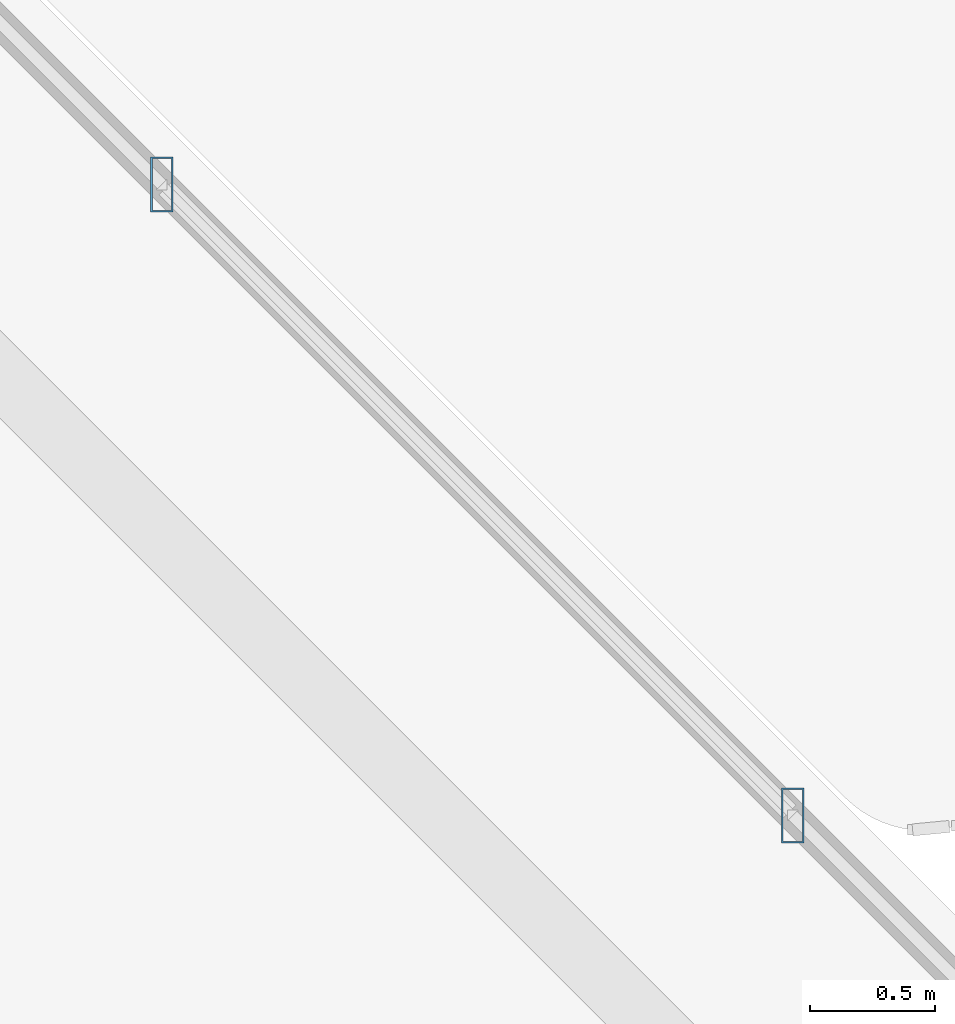
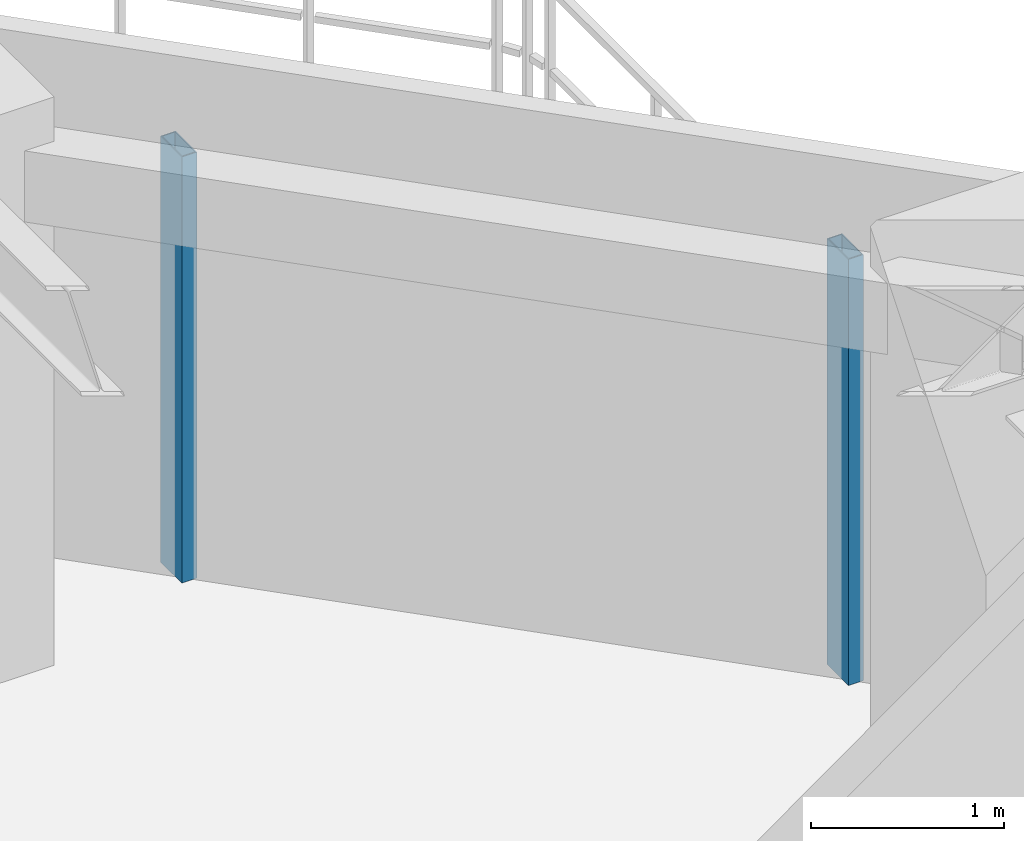
# One storey, part 18 of 33: 2 members, 1 element without a shape of its own.
"""IFC4 building model written with IfcOpenShell, lengths in metres."""

from ifc_helpers import new_model, si_unit, direction, frame, origin, origin_2d, place, context, subcontext, project, spatial, hollow_rectangle, extrude, material, material_profile, profile_set, type_object, element, aggregate, save


model = new_model("IFC4")

# Units and contexts
model_context = context("Model", 3, precision=1e-05, world=origin(), true_north=direction((0.0, 1.0)))
body_context = subcontext(model_context, "Body", "Model", "MODEL_VIEW")
ifc_project = project(units=[si_unit("LENGTHUNIT", "METRE"), si_unit("AREAUNIT", "SQUARE_METRE"), si_unit("VOLUMEUNIT", "CUBIC_METRE"), si_unit("PLANEANGLEUNIT", "RADIAN"), si_unit("MASSUNIT", "GRAM", prefix="KILO")], contexts=[model_context])

# Site, building, storey
site_placement = place(None, origin())
site = spatial("IfcSite", under=ifc_project, at=site_placement, CompositionType="ELEMENT")
building_placement = place(site_placement, origin())
building = spatial("IfcBuilding", under=site, at=building_placement, Name="Thornwick Lancets Civic Towers", CompositionType="ELEMENT")
storey_placement = place(building_placement, frame((0.0, 0.0, 98.10009765625)))
storey = spatial("IfcBuildingStorey", under=building, at=storey_placement, Name="L25", CompositionType="ELEMENT", Elevation=98.10009765625)

# Curtain wall, members
ifc_material_1 = material(Name="Low-zone chamfered-corner unitised glass curtain wall", Category="glass")
curtain_wall_type = type_object("IfcCurtainWallType", Name="CW_SYS_03", PredefinedType="NOTDEFINED", material=ifc_material_1)
curtain_wall_placement = place(storey_placement, origin())
curtain_wall = element("IfcCurtainWall", 1, at=curtain_wall_placement, inside=storey, type_object=curtain_wall_type, Name="L25 Curtain Wall CW-L25-B-E3", PredefinedType="NOTDEFINED")
ifc_material_2 = material(Name="Thermally broken bronze aluminium S355", Category="steel")
ifc_material_profile = material_profile(ifc_material_2, hollow_rectangle(XDim=0.090087890625, YDim=0.219970703125, WallThickness=0.00634765625, at=origin_2d()), Name="RHS 220x90x6.3")
ifc_profile_set = profile_set([ifc_material_profile], Name="Thermally broken bronze aluminium S355")
member_type = type_object("IfcMemberType", Name="CW_MUL_220", PredefinedType="MULLION", material=ifc_profile_set)
member_1_placement = place(storey_placement, frame((105.62158203125, 41.58935546875, 0.0), z_axis=(0.0, 0.0, 1.0), x_axis=(1.0, 0.0, 0.0)))
member_1 = element("IfcMember", 2, at=member_1_placement, type_object=member_type, Name="CW-L25-B-E3 Mullion 0", PredefinedType="MULLION", context=body_context, shape_type="SweptSolid", body=[
    extrude(hollow_rectangle(XDim=0.090087890625, YDim=0.219970703125, WallThickness=0.00634765625, at=origin_2d()), origin(), (0.0, 0.0, 1.0), 2.699951171875),
])
member_2_placement = place(storey_placement, frame((103.08935546875, 44.12158203125, 0.0), z_axis=(0.0, 0.0, 1.0), x_axis=(1.0, 0.0, 0.0)))
member_2 = element("IfcMember", 3, at=member_2_placement, type_object=member_type, Name="CW-L25-B-E3 Mullion 1", PredefinedType="MULLION", context=body_context, shape_type="SweptSolid", body=[
    extrude(hollow_rectangle(XDim=0.090087890625, YDim=0.219970703125, WallThickness=0.00634765625, at=origin_2d()), origin(), (0.0, 0.0, 1.0), 2.699951171875),
])
aggregate(curtain_wall, [member_1, member_2])

save(model, "model.ifc")
